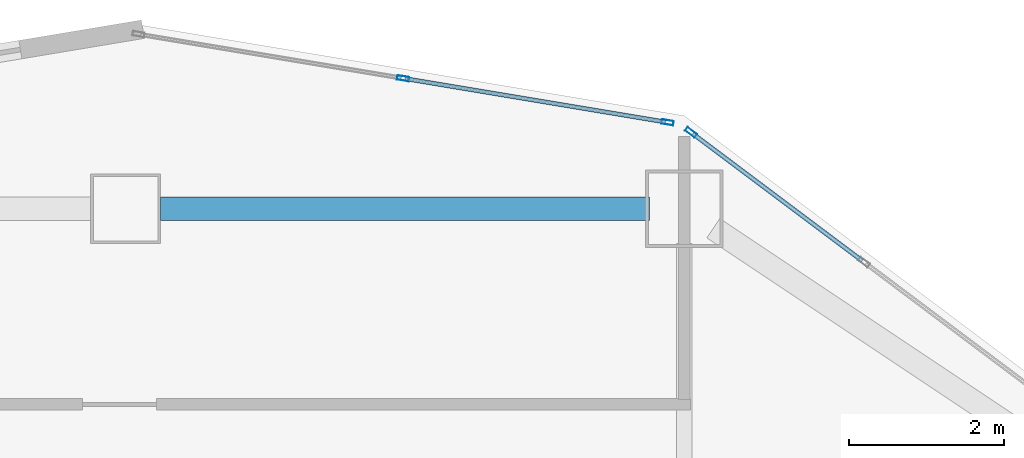
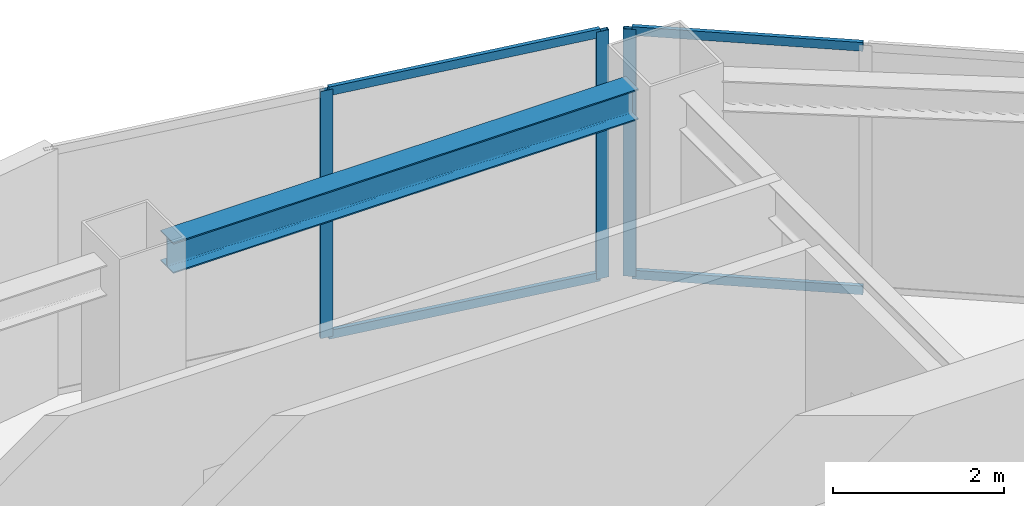
# One storey, part 4 of 14: 7 members, 1 beam, 2 elements without a shape of their own.
"""IFC4 building model written with IfcOpenShell, lengths in metres."""

from ifc_helpers import new_model, si_unit, direction, frame, origin, origin_2d, place, context, subcontext, project, spatial, hollow_rectangle, i_section, extrude, material, layer, layer_set, material_profile, profile_set, type_object, element, aggregate, save


model = new_model("IFC4")

# Units and contexts
model_context = context("Model", 3, precision=1e-05, world=origin(), true_north=direction((0.0, 1.0)))
body_context = subcontext(model_context, "Body", "Model", "MODEL_VIEW")
ifc_project = project(units=[si_unit("LENGTHUNIT", "METRE"), si_unit("AREAUNIT", "SQUARE_METRE"), si_unit("VOLUMEUNIT", "CUBIC_METRE"), si_unit("PLANEANGLEUNIT", "RADIAN"), si_unit("MASSUNIT", "GRAM", prefix="KILO")], contexts=[model_context])

# Site, building, storey
site_placement = place(None, origin())
site = spatial("IfcSite", under=ifc_project, at=site_placement, CompositionType="ELEMENT")
building_placement = place(site_placement, origin())
building = spatial("IfcBuilding", under=site, at=building_placement, Name="Haolan Belvedere Tower", CompositionType="ELEMENT")
storey_placement = place(building_placement, frame((0.0, 0.0, 132.60009765625)))
storey = spatial("IfcBuildingStorey", under=building, at=storey_placement, Name="L33", CompositionType="ELEMENT", Elevation=132.60009765625)

# Beam
ifc_material_1 = material(Name="Steel Q355B", Category="steel")
ifc_material_profile_1 = material_profile(ifc_material_1, i_section(OverallWidth=0.300048828125, OverallDepth=0.43994140625, WebThickness=0.010986328125, FlangeThickness=0.01806640625, FilletRadius=0.02392578125, at=origin_2d()), Name="Steel Q355B")
ifc_profile_set_1 = profile_set([ifc_material_profile_1], Name="Steel Q355B")
beam_type = type_object("IfcBeamType", Name="BM-HM440x300x11x18", PredefinedType="SPANDREL", material=ifc_profile_set_1)
beam_placement = place(storey_placement, frame((38.85009765625, 50.39990234375, 3.31982421875), z_axis=(1.0, 0.0, 0.0), x_axis=(0.0, 1.0, 0.0)))
element("IfcBeam", 1, at=beam_placement, inside=storey, type_object=beam_type, Name="L33 spandrel girder TC-T3-NM-MC-T3-N2", PredefinedType="SPANDREL", context=body_context, shape_type="SweptSolid", body=[
    extrude(i_section(OverallWidth=0.300048828125, OverallDepth=0.43994140625, WebThickness=0.010986328125, FlangeThickness=0.01806640625, FilletRadius=0.02392578125, at=origin_2d()), origin(), (0.0, 0.0, 1.0), 6.2998046875),
])

# Curtain wall, member
ifc_material_2 = material(Name="Anodised champagne-silver aluminium 6063-T6 and Low-E glass", Category="aluminium")
ifc_layer = layer(ifc_material_2, 0.155029296875, Name="Anodised champagne-silver aluminium 6063-T6 and Low-E glass")
ifc_layer_set = layer_set([ifc_layer], Name="Anodised champagne-silver aluminium 6063-T6 and Low-E glass")
curtain_wall_type = type_object("IfcCurtainWallType", Name="CW-SYS-03", PredefinedType="NOTDEFINED", material=ifc_layer_set)
curtain_wall_1_placement = place(storey_placement, origin())
curtain_wall_1 = element("IfcCurtainWall", 2, at=curtain_wall_1_placement, inside=storey, type_object=curtain_wall_type, Name="L33 CW-SYS-03 ribbon curtain wall 26.1", PredefinedType="NOTDEFINED")
ifc_material_3 = material(Name="Anodised aluminium 6063-T6", Category="aluminium")
ifc_material_profile_2 = material_profile(ifc_material_3, hollow_rectangle(XDim=0.05810546875, YDim=0.155029296875, WallThickness=0.00390625, at=origin_2d()), Name="Anodised aluminium 6063-T6")
ifc_profile_set_2 = profile_set([ifc_material_profile_2], Name="Anodised aluminium 6063-T6")
member_type_1 = type_object("IfcMemberType", Name="CW-SYS-03-MUL", PredefinedType="MULLION", material=ifc_profile_set_2)
member_1_placement = place(storey_placement, frame((45.6865234375, 51.385009765625, 0.0), z_axis=(0.0, 0.0, 1.0), x_axis=(-0.599994316874, -0.800004262313, 0.0)))
member_1 = element("IfcMember", 3, at=member_1_placement, type_object=member_type_1, Name="CW-03 mullion 3", PredefinedType="MULLION", context=body_context, shape_type="SweptSolid", body=[
    extrude(hollow_rectangle(XDim=0.05810546875, YDim=0.155029296875, WallThickness=0.00390625, at=origin_2d()), origin(), (0.0, 0.0, 1.0), 3.539794921875),
])

# Curtain wall, members
curtain_wall_2_placement = place(storey_placement, origin())
curtain_wall_2 = element("IfcCurtainWall", 4, at=curtain_wall_2_placement, inside=storey, type_object=curtain_wall_type, Name="L33 CW-SYS-03 ribbon curtain wall 27.1", PredefinedType="NOTDEFINED")
member_2_placement = place(storey_placement, frame((45.384765625, 51.51416015625, 0.0), z_axis=(0.0, 0.0, 1.0), x_axis=(-0.16440364043, -0.9863931483, 0.0)))
member_2 = element("IfcMember", 5, at=member_2_placement, type_object=member_type_1, Name="CW-03 mullion 1", PredefinedType="MULLION", context=body_context, shape_type="SweptSolid", body=[
    extrude(hollow_rectangle(XDim=0.05810546875, YDim=0.155029296875, WallThickness=0.00390625, at=origin_2d()), origin(), (0.0, 0.0, 1.0), 3.539794921875),
])
member_3_placement = place(storey_placement, frame((41.9755859375, 52.082275390625, 0.0), z_axis=(0.0, 0.0, 1.0), x_axis=(-0.16440364043, -0.9863931483, 0.0)))
member_3 = element("IfcMember", 6, at=member_3_placement, type_object=member_type_1, Name="CW-03 mullion 2", PredefinedType="MULLION", context=body_context, shape_type="SweptSolid", body=[
    extrude(hollow_rectangle(XDim=0.05810546875, YDim=0.155029296875, WallThickness=0.00390625, at=origin_2d()), origin(), (0.0, 0.0, 1.0), 3.539794921875),
])

# Member
ifc_material_profile_3 = material_profile(ifc_material_3, hollow_rectangle(XDim=0.053955078125, YDim=0.125, WallThickness=0.00390625, at=origin_2d()), Name="Anodised aluminium 6063-T6")
ifc_profile_set_3 = profile_set([ifc_material_profile_3], Name="Anodised aluminium 6063-T6")
member_type_2 = type_object("IfcMemberType", Name="CW-SYS-03-TRN", PredefinedType="USERDEFINED", material=ifc_profile_set_3)
member_4_placement = place(storey_placement, frame((47.892578125, 49.730712890625, 0.02685546875), z_axis=(-0.800032211306, 0.59995704919, 0.0), x_axis=(-0.59995704919, -0.800032211306, 0.0)))
member_4 = element("IfcMember", 7, at=member_4_placement, type_object=member_type_2, Name="CW-03 transom 2.1", ObjectType="TRANSOM", PredefinedType="USERDEFINED", context=body_context, shape_type="SweptSolid", body=[
    extrude(hollow_rectangle(XDim=0.053955078125, YDim=0.125, WallThickness=0.00390625, at=origin_2d()), origin(), (0.0, 0.0, 1.0), 2.728515625),
])

member_5_placement = place(storey_placement, frame((47.892578125, 49.730712890625, 3.512939453125), z_axis=(-0.800032211306, 0.59995704919, 0.0), x_axis=(-0.59995704919, -0.800032211306, 0.0)))
member_5 = element("IfcMember", 8, at=member_5_placement, type_object=member_type_2, Name="CW-03 transom 2.2", ObjectType="TRANSOM", PredefinedType="USERDEFINED", context=body_context, shape_type="SweptSolid", body=[
    extrude(hollow_rectangle(XDim=0.053955078125, YDim=0.125, WallThickness=0.00390625, at=origin_2d()), origin(), (0.0, 0.0, 1.0), 2.728515625),
])

aggregate(curtain_wall_1, [member_1, member_4, member_5])

member_6_placement = place(storey_placement, frame((45.356201171875, 51.51904296875, 0.02685546875), z_axis=(-0.986395865591, 0.16438733633, 0.0), x_axis=(-0.16438733633, -0.986395865591, 0.0)))
member_6 = element("IfcMember", 9, at=member_6_placement, type_object=member_type_2, Name="CW-03 transom 1.1", ObjectType="TRANSOM", PredefinedType="USERDEFINED", context=body_context, shape_type="SweptSolid", body=[
    extrude(hollow_rectangle(XDim=0.053955078125, YDim=0.125, WallThickness=0.00390625, at=origin_2d()), origin(), (0.0, 0.0, 1.0), 3.39794921875),
])

member_7_placement = place(storey_placement, frame((45.356201171875, 51.51904296875, 3.512939453125), z_axis=(-0.986395865591, 0.16438733633, 0.0), x_axis=(-0.16438733633, -0.986395865591, 0.0)))
member_7 = element("IfcMember", 10, at=member_7_placement, type_object=member_type_2, Name="CW-03 transom 1.2", ObjectType="TRANSOM", PredefinedType="USERDEFINED", context=body_context, shape_type="SweptSolid", body=[
    extrude(hollow_rectangle(XDim=0.053955078125, YDim=0.125, WallThickness=0.00390625, at=origin_2d()), origin(), (0.0, 0.0, 1.0), 3.39794921875),
])

aggregate(curtain_wall_2, [member_2, member_3, member_6, member_7])

save(model, "model.ifc")
